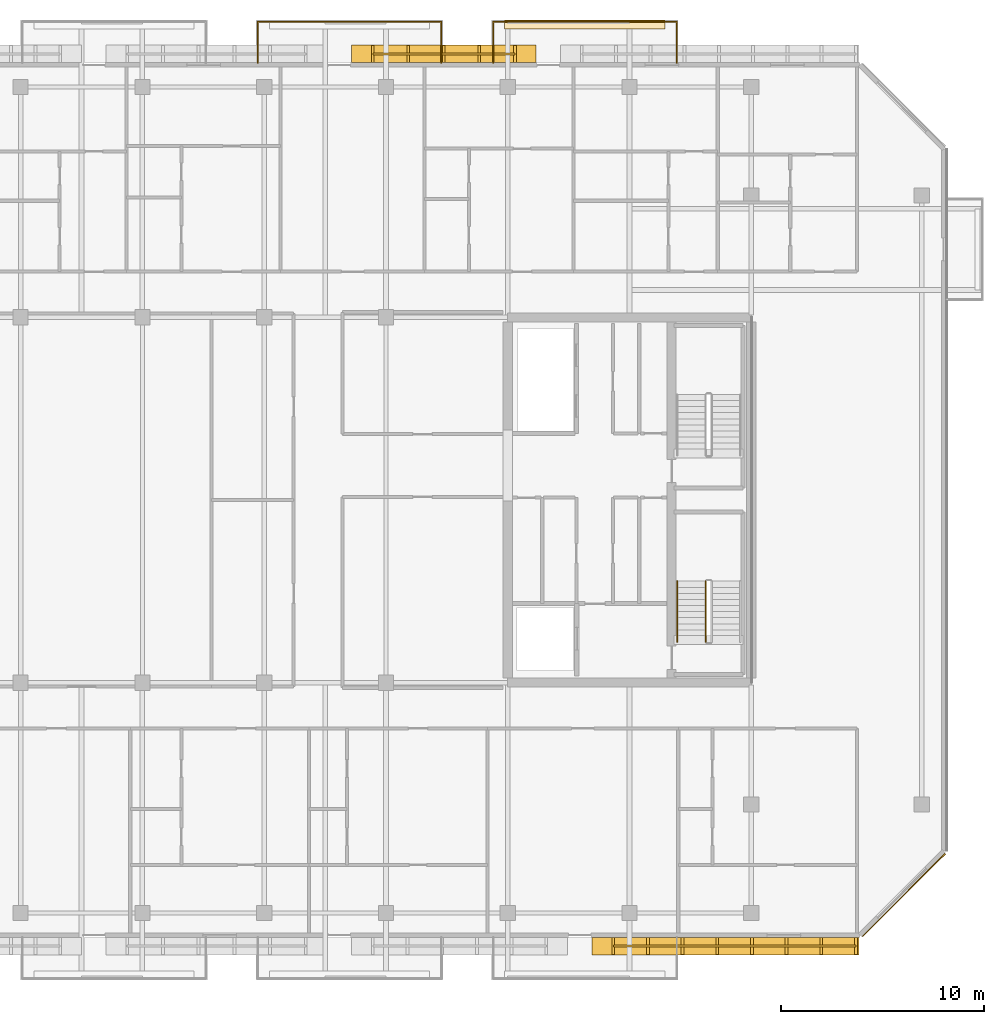
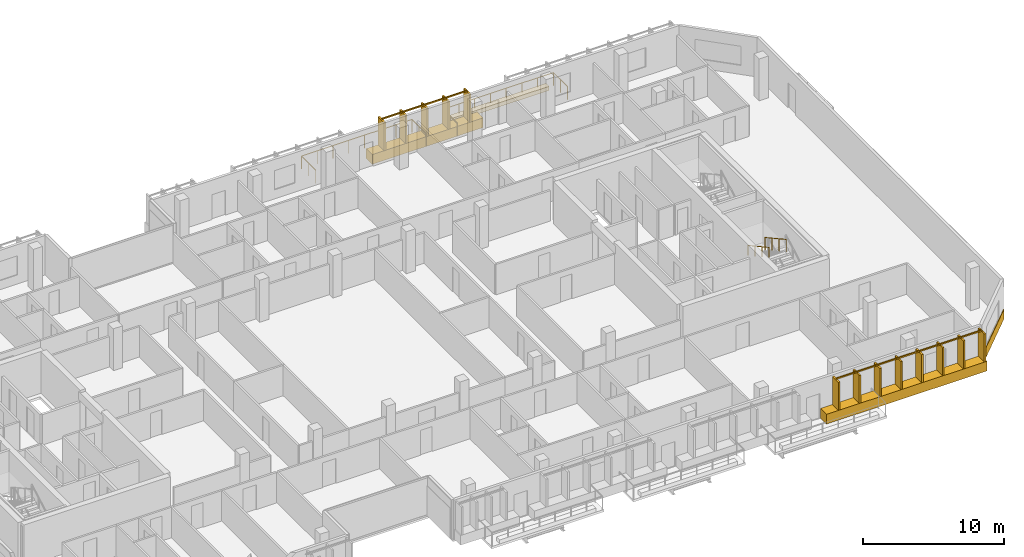
# One storey, part 21 of 23: 6 railings, 4 coverings.
"""IFC4 building model written with IfcOpenShell, lengths in metres."""

from ifc_helpers import new_model, si_unit, direction, frame, origin, origin_2d, place, context, subcontext, project, spatial, polyline, rectangle, outline, extrude, material, layer, layer_set, type_object, element, save


model = new_model("IFC4")

# Units and contexts
model_context = context("Model", 3, precision=1e-05, world=origin(), true_north=direction((0.0, 1.0)))
body_context = subcontext(model_context, "Body", "Model", "MODEL_VIEW")
ifc_project = project(units=[si_unit("LENGTHUNIT", "METRE"), si_unit("AREAUNIT", "SQUARE_METRE"), si_unit("VOLUMEUNIT", "CUBIC_METRE"), si_unit("PLANEANGLEUNIT", "RADIAN"), si_unit("MASSUNIT", "GRAM", prefix="KILO")], contexts=[model_context])

# Site, building, storey
site_placement = place(None, origin())
site = spatial("IfcSite", under=ifc_project, at=site_placement, CompositionType="ELEMENT")
building_placement = place(site_placement, origin())
building = spatial("IfcBuilding", under=site, at=building_placement, Name="Tanjung Sevakor Pilgrim Tower", CompositionType="ELEMENT")
storey_placement = place(building_placement, frame((0.0, 0.0, 215.489990234375)))
storey = spatial("IfcBuildingStorey", under=building, at=storey_placement, Name="L60", CompositionType="ELEMENT", Elevation=215.489990234375)

# Coverings
ifc_material_1 = material(Name="Reconstructed Limestone Cladding", Category="masonry")
ifc_layer_1 = layer(ifc_material_1, 0.044921875)
ifc_layer_set_1 = layer_set([ifc_layer_1], Name="COV-CLAD-LIMESTONE")
covering_type_1 = type_object("IfcCoveringType", Name="COV-CLAD-LIMESTONE", PredefinedType="CLADDING", material=ifc_layer_set_1)
covering_1_placement = place(storey_placement, frame((88.7373046875, 11.6201171875, 0.009765625), z_axis=(0.0, 0.0, 1.0), x_axis=(1.0, 0.0, 0.0)))
element("IfcCovering", 1, at=covering_1_placement, inside=storey, type_object=covering_type_1, Name="L60 Warm Limestone Sill Spandrel EW-L60-MAIN-5-4", PredefinedType="CLADDING", context=body_context, shape_type="SweptSolid", body=[
    extrude(rectangle(XDim=13.154296875, YDim=0.860107421875, at=origin_2d()), origin(), (0.0, 0.0, 1.0), 0.840087890625),
])
covering_2_placement = place(storey_placement, frame((97.515869140625, 14.134033203125, 0.009765625), z_axis=(0.0, 0.0, 1.0), x_axis=(0.707106781187, 0.707106781187, 0.0)))
element("IfcCovering", 2, at=covering_2_placement, inside=storey, type_object=covering_type_1, Name="L60 Warm Limestone Sill Spandrel EW-CHM-L60-MAIN-5-1", PredefinedType="CLADDING", context=body_context, shape_type="SweptSolid", body=[
    extrude(rectangle(XDim=5.7685546875, YDim=0.044921875, at=origin_2d()), origin(), (0.0, 0.0, 1.0), 0.840087890625),
])
covering_3_placement = place(storey_placement, frame((74.85009765625, 55.580078125, 0.009765625), z_axis=(0.0, 0.0, 1.0), x_axis=(-1.0, 0.0, 0.0)))
element("IfcCovering", 3, at=covering_3_placement, inside=storey, type_object=covering_type_1, Name="L60 Warm Limestone Sill Spandrel EW-L60-MAIN-9-2", PredefinedType="CLADDING", context=body_context, shape_type="SweptSolid", body=[
    extrude(rectangle(XDim=9.080078125, YDim=0.860107421875, at=origin_2d()), origin(), (0.0, 0.0, 1.0), 0.840087890625),
])
ifc_material_2 = material(Name="Vegetated Modular Planter Assembly", Category="organic")
ifc_layer_2 = layer(ifc_material_2, 0.35009765625)
ifc_layer_set_2 = layer_set([ifc_layer_2], Name="COV-GRN-TROUGH")
covering_type_2 = type_object("IfcCoveringType", Name="COV-GRN-TROUGH", PredefinedType="CLADDING", material=ifc_layer_set_2)
covering_4_placement = place(storey_placement, origin())
element("IfcCovering", 4, at=covering_4_placement, inside=storey, type_object=covering_type_2, Name="L60 Planted Landscape Hedge Trough BGRN-L60-MAIN-N4", PredefinedType="CLADDING", context=body_context, shape_type="SweptSolid", body=[
    extrude(outline(polyline([(77.85009765625, 56.81005859375), (85.75, 56.81005859375), (85.75, 57.25), (77.85009765625, 57.25), (77.85009765625, 56.81005859375)])), origin(), (0.0, 0.0, 1.0), 0.35009765625),
])

# Railings
ifc_material_3 = material(Name="Laminated Glass and Aluminium", Category="aluminium")
railing_type_1 = type_object("IfcRailingType", Name="RL-BAL-BALUST", PredefinedType="BALUSTRADE", material=ifc_material_3)
railing_1_placement = place(storey_placement, frame((65.679931640625, 55.14990234375, 0.0)))
element("IfcRailing", 5, at=railing_1_placement, inside=storey, type_object=railing_type_1, Name="L60 Loggia Balustrade MAIN-N3", PredefinedType="BALUSTRADE", context=body_context, shape_type="SweptSolid", body=[
    extrude(rectangle(XDim=0.0479, YDim=0.0479), frame((0.0, 0.0, 1.1259765625), z_axis=(0.0, 1.0, 0.0), x_axis=(-1.0, 0.0, 0.0)), (0.0, 0.0, 1.0), 2.02001953125),
    extrude(rectangle(XDim=0.0479, YDim=0.0479), frame((0.0, 2.02001953125, 1.1259765625), z_axis=(1.0, 0.0, 0.0), x_axis=(0.0, 1.0, 0.0)), (0.0, 0.0, 1.0), 9.0400390625),
    extrude(rectangle(XDim=0.0479, YDim=0.0479), frame((9.0400390625, 2.02001953125, 1.1259765625), z_axis=(0.0, -1.0, 0.0), x_axis=(1.0, 0.0, 0.0)), (0.0, 0.0, 1.0), 2.02001953125),
    extrude(rectangle(XDim=0.042, YDim=0.042), origin(), (0.0, 0.0, 1.0), 1.101806640625),
    extrude(rectangle(XDim=0.042, YDim=0.042), frame((0.0, 1.010009765625, 0.0)), (0.0, 0.0, 1.0), 1.101806640625),
    extrude(rectangle(XDim=0.042, YDim=0.042), frame((0.0, 2.02001953125, 0.0)), (0.0, 0.0, 1.0), 1.101806640625),
    extrude(rectangle(XDim=0.042, YDim=0.042), frame((1.29150390625, 2.02001953125, 0.0)), (0.0, 0.0, 1.0), 1.101806640625),
    extrude(rectangle(XDim=0.042, YDim=0.042), frame((2.582763671875, 2.02001953125, 0.0)), (0.0, 0.0, 1.0), 1.101806640625),
    extrude(rectangle(XDim=0.042, YDim=0.042), frame((3.874267578125, 2.02001953125, 0.0)), (0.0, 0.0, 1.0), 1.101806640625),
    extrude(rectangle(XDim=0.042, YDim=0.042), frame((5.165771484375, 2.02001953125, 0.0)), (0.0, 0.0, 1.0), 1.101806640625),
    extrude(rectangle(XDim=0.042, YDim=0.042), frame((6.457275390625, 2.02001953125, 0.0)), (0.0, 0.0, 1.0), 1.101806640625),
    extrude(rectangle(XDim=0.042, YDim=0.042), frame((7.74853515625, 2.02001953125, 0.0)), (0.0, 0.0, 1.0), 1.101806640625),
    extrude(rectangle(XDim=0.042, YDim=0.042), frame((9.0400390625, 2.02001953125, 0.0)), (0.0, 0.0, 1.0), 1.101806640625),
    extrude(rectangle(XDim=0.042, YDim=0.042), frame((9.0400390625, 1.010009765625, 0.0)), (0.0, 0.0, 1.0), 1.101806640625),
    extrude(rectangle(XDim=0.042, YDim=0.042), frame((9.0400390625, 0.0, 0.0)), (0.0, 0.0, 1.0), 1.101806640625),
])
railing_2_placement = place(storey_placement, frame((77.280029296875, 55.14990234375, 0.0)))
element("IfcRailing", 6, at=railing_2_placement, inside=storey, type_object=railing_type_1, Name="L60 Loggia Balustrade MAIN-N4", PredefinedType="BALUSTRADE", context=body_context, shape_type="SweptSolid", body=[
    extrude(rectangle(XDim=0.0479, YDim=0.0479), frame((0.0, 0.0, 1.1259765625), z_axis=(0.0, 1.0, 0.0), x_axis=(-1.0, 0.0, 0.0)), (0.0, 0.0, 1.0), 2.02001953125),
    extrude(rectangle(XDim=0.0479, YDim=0.0479), frame((0.0, 2.02001953125, 1.1259765625), z_axis=(1.0, 0.0, 0.0), x_axis=(0.0, 1.0, 0.0)), (0.0, 0.0, 1.0), 9.0400390625),
    extrude(rectangle(XDim=0.0479, YDim=0.0479), frame((9.0400390625, 2.02001953125, 1.1259765625), z_axis=(0.0, -1.0, 0.0), x_axis=(1.0, 0.0, 0.0)), (0.0, 0.0, 1.0), 2.02001953125),
    extrude(rectangle(XDim=0.042, YDim=0.042), origin(), (0.0, 0.0, 1.0), 1.101806640625),
    extrude(rectangle(XDim=0.042, YDim=0.042), frame((0.0, 1.010009765625, 0.0)), (0.0, 0.0, 1.0), 1.101806640625),
    extrude(rectangle(XDim=0.042, YDim=0.042), frame((0.0, 2.02001953125, 0.0)), (0.0, 0.0, 1.0), 1.101806640625),
    extrude(rectangle(XDim=0.042, YDim=0.042), frame((1.29150390625, 2.02001953125, 0.0)), (0.0, 0.0, 1.0), 1.101806640625),
    extrude(rectangle(XDim=0.042, YDim=0.042), frame((2.582763671875, 2.02001953125, 0.0)), (0.0, 0.0, 1.0), 1.101806640625),
    extrude(rectangle(XDim=0.042, YDim=0.042), frame((3.874267578125, 2.02001953125, 0.0)), (0.0, 0.0, 1.0), 1.101806640625),
    extrude(rectangle(XDim=0.042, YDim=0.042), frame((5.165771484375, 2.02001953125, 0.0)), (0.0, 0.0, 1.0), 1.101806640625),
    extrude(rectangle(XDim=0.042, YDim=0.042), frame((6.457275390625, 2.02001953125, 0.0)), (0.0, 0.0, 1.0), 1.101806640625),
    extrude(rectangle(XDim=0.042, YDim=0.042), frame((7.74853515625, 2.02001953125, 0.0)), (0.0, 0.0, 1.0), 1.101806640625),
    extrude(rectangle(XDim=0.042, YDim=0.042), frame((9.0400390625, 2.02001953125, 0.0)), (0.0, 0.0, 1.0), 1.101806640625),
    extrude(rectangle(XDim=0.042, YDim=0.042), frame((9.0400390625, 1.010009765625, 0.0)), (0.0, 0.0, 1.0), 1.101806640625),
    extrude(rectangle(XDim=0.042, YDim=0.042), frame((9.0400390625, 0.0, 0.0)), (0.0, 0.0, 1.0), 1.101806640625),
])
ifc_material_4 = material(Name="Anodised Bronze Aluminium 6063-T6", Category="aluminium")
railing_type_2 = type_object("IfcRailingType", Name="RL-FIN-SCREEN", PredefinedType="BALUSTRADE", material=ifc_material_4)
railing_3_placement = place(storey_placement, frame((83.199951171875, 11.625, 0.840087890625)))
element("IfcRailing", 7, at=railing_3_placement, inside=storey, type_object=railing_type_2, Name="L60 Vertical Bronze-Gold Solar Fin Screen FNSCR-EW-L60-MAIN-5-4", PredefinedType="BALUSTRADE", context=body_context, shape_type="SweptSolid", body=[
    extrude(rectangle(XDim=0.105, YDim=0.105), frame((0.0, 0.0, 2.487548828125), z_axis=(1.0, 0.0, 0.0), x_axis=(0.0, 1.0, 0.0)), (0.0, 0.0, 1.0), 11.954345703125),
    extrude(rectangle(XDim=0.14, YDim=0.85), origin(), (0.0, 0.0, 1.0), 2.43505859375),
    extrude(rectangle(XDim=0.14, YDim=0.85), frame((1.707763671875, 0.0, 0.0)), (0.0, 0.0, 1.0), 2.43505859375),
    extrude(rectangle(XDim=0.14, YDim=0.85), frame((3.41552734375, 0.0, 0.0)), (0.0, 0.0, 1.0), 2.43505859375),
    extrude(rectangle(XDim=0.14, YDim=0.85), frame((5.123291015625, 0.0, 0.0)), (0.0, 0.0, 1.0), 2.43505859375),
    extrude(rectangle(XDim=0.14, YDim=0.85), frame((6.8310546875, 0.0, 0.0)), (0.0, 0.0, 1.0), 2.43505859375),
    extrude(rectangle(XDim=0.14, YDim=0.85), frame((8.538818359375, 0.0, 0.0)), (0.0, 0.0, 1.0), 2.43505859375),
    extrude(rectangle(XDim=0.14, YDim=0.85), frame((10.24658203125, 0.0, 0.0)), (0.0, 0.0, 1.0), 2.43505859375),
    extrude(rectangle(XDim=0.14, YDim=0.85), frame((11.954345703125, 0.0, 0.0)), (0.0, 0.0, 1.0), 2.43505859375),
])
railing_4_placement = place(storey_placement, frame((78.35009765625, 55.574951171875, 0.840087890625)))
element("IfcRailing", 8, at=railing_4_placement, inside=storey, type_object=railing_type_2, Name="L60 Vertical Bronze-Gold Solar Fin Screen FNSCR-EW-L60-MAIN-9-2", PredefinedType="BALUSTRADE", context=body_context, shape_type="SweptSolid", body=[
    extrude(rectangle(XDim=0.105, YDim=0.105), frame((0.0, 0.0, 2.487548828125), z_axis=(-1.0, 0.0, 0.0), x_axis=(0.0, -1.0, 0.0)), (0.0, 0.0, 1.0), 7.0),
    extrude(rectangle(XDim=0.14, YDim=0.85), origin(), (0.0, 0.0, 1.0), 2.43505859375),
    extrude(rectangle(XDim=0.14, YDim=0.85), frame((-1.75, 0.0, 0.0)), (0.0, 0.0, 1.0), 2.43505859375),
    extrude(rectangle(XDim=0.14, YDim=0.85), frame((-3.5, 0.0, 0.0)), (0.0, 0.0, 1.0), 2.43505859375),
    extrude(rectangle(XDim=0.14, YDim=0.85), frame((-5.25, 0.0, 0.0)), (0.0, 0.0, 1.0), 2.43505859375),
    extrude(rectangle(XDim=0.14, YDim=0.85), frame((-7.0, 0.0, 0.0)), (0.0, 0.0, 1.0), 2.43505859375),
])
ifc_material_5 = material(Name="Steel S355J2", Category="steel")
railing_type_3 = type_object("IfcRailingType", Name="RL-STAIR-GUARD", PredefinedType="GUARDRAIL", material=ifc_material_5)
railing_5_placement = place(storey_placement, frame((87.75, 29.60009765625, 1.97998046875)))
element("IfcRailing", 9, at=railing_5_placement, inside=storey, type_object=railing_type_3, Name="L60 TS-E1 stair guard 3", PredefinedType="GUARDRAIL", context=body_context, shape_type="SweptSolid", body=[
    extrude(rectangle(XDim=0.0479, YDim=0.0479), frame((0.0, 0.0, 1.076171875), z_axis=(0.0, -0.876197842262, 0.481951596342), x_axis=(1.0, 0.0, 0.0)), (0.0, 0.0, 1.0), 3.423828125),
    extrude(rectangle(XDim=0.042, YDim=0.042), origin(), (0.0, 0.0, 1.0), 1.052001953125),
    extrude(rectangle(XDim=0.042, YDim=0.042), frame((0.0, -1.0, 0.550048828125)), (0.0, 0.0, 1.0), 1.052001953125),
    extrude(rectangle(XDim=0.042, YDim=0.042), frame((0.0, -2.0, 1.10009765625)), (0.0, 0.0, 1.0), 1.052001953125),
    extrude(rectangle(XDim=0.042, YDim=0.042), frame((0.0, -3.0, 1.650146484375)), (0.0, 0.0, 1.0), 1.052001953125),
])
ifc_material_6 = material(Name="Steel S355J2", Category="steel")
railing_type_4 = type_object("IfcRailingType", Name="RL-STAIR-HAND", PredefinedType="HANDRAIL", material=ifc_material_6)
railing_6_placement = place(storey_placement, frame((86.35009765625, 29.60009765625, 1.97998046875)))
element("IfcRailing", 10, at=railing_6_placement, inside=storey, type_object=railing_type_4, Name="L60 TS-E1 stair handrail 2", PredefinedType="HANDRAIL", context=body_context, shape_type="SweptSolid", body=[
    extrude(rectangle(XDim=0.0479, YDim=0.0479), frame((0.0, 0.0, 0.8759765625), z_axis=(0.0, -0.876197842262, 0.481951596342), x_axis=(1.0, 0.0, 0.0)), (0.0, 0.0, 1.0), 3.423828125),
    extrude(rectangle(XDim=0.042, YDim=0.042), origin(), (0.0, 0.0, 1.0), 0.851806640625),
    extrude(rectangle(XDim=0.042, YDim=0.042), frame((0.0, -1.0, 0.550048828125)), (0.0, 0.0, 1.0), 0.851806640625),
    extrude(rectangle(XDim=0.042, YDim=0.042), frame((0.0, -2.0, 1.10009765625)), (0.0, 0.0, 1.0), 0.851806640625),
    extrude(rectangle(XDim=0.042, YDim=0.042), frame((0.0, -3.0, 1.650146484375)), (0.0, 0.0, 1.0), 0.851806640625),
])

save(model, "model.ifc")
